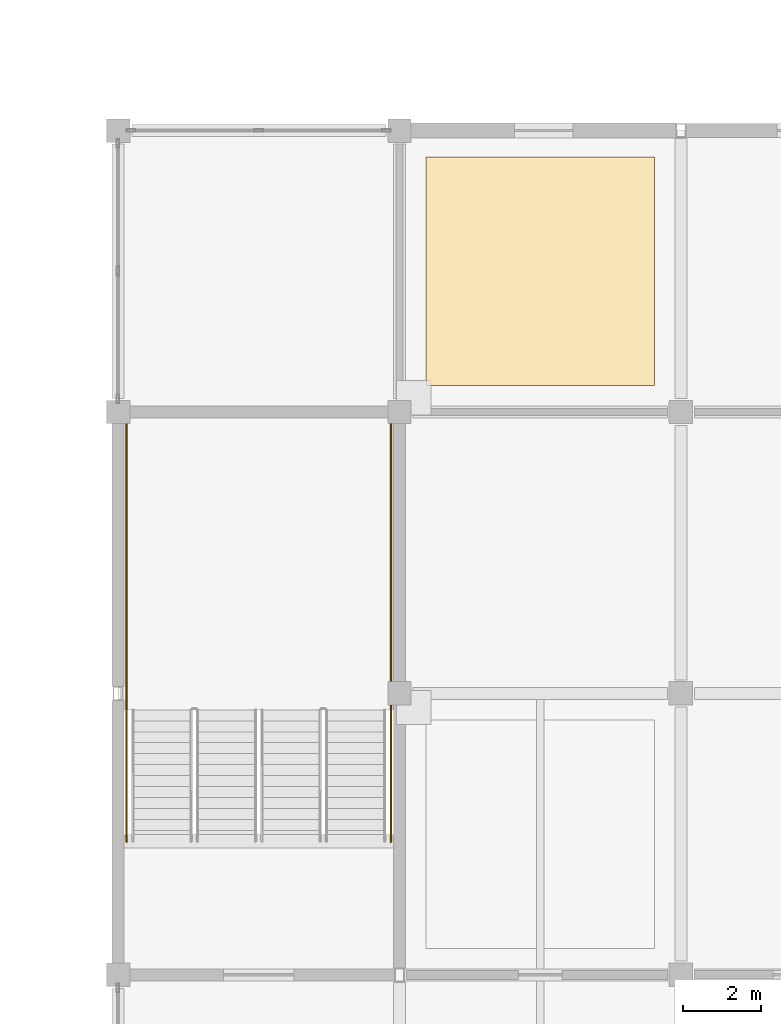
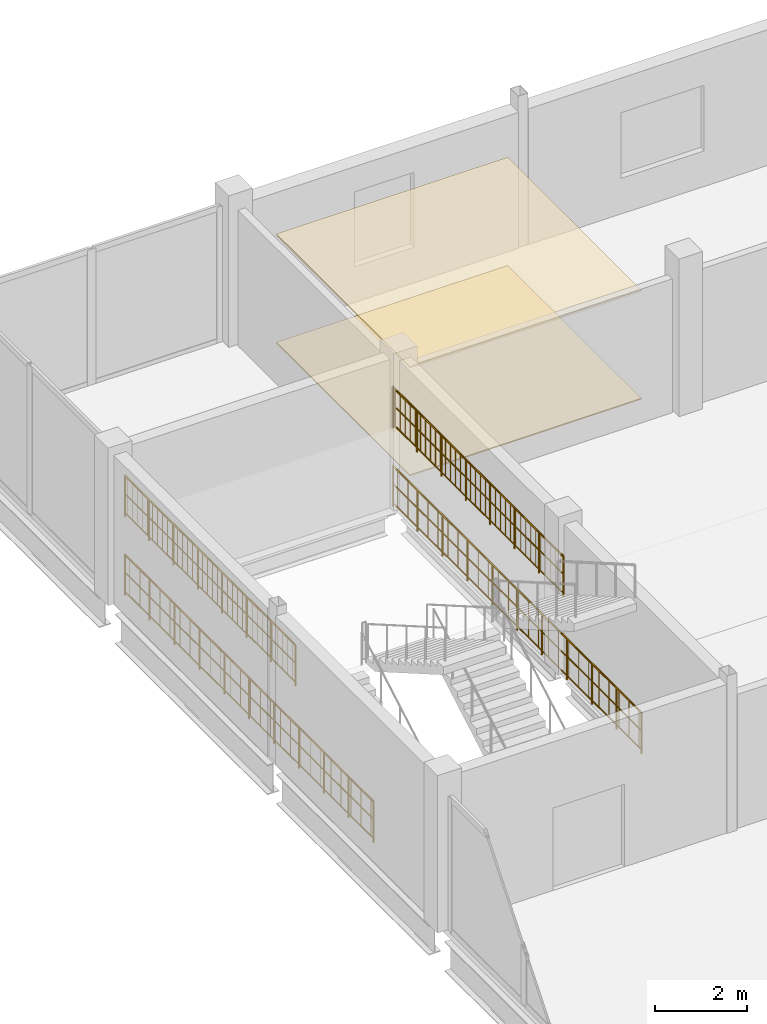
# One storey, part 43 of 51: 4 railings, 2 coverings.
"""IFC4 building model written with IfcOpenShell, lengths in metres."""

from ifc_helpers import new_model, si_unit, direction, frame, origin, origin_2d, place, context, subcontext, project, spatial, polyline, circle, outline, extrude, material, layer, layer_set, type_object, element, save


model = new_model("IFC4")

# Units and contexts
model_context = context("Model", 3, precision=1e-05, world=origin(), true_north=direction((0.0, 1.0)))
body_context = subcontext(model_context, "Body", "Model", "MODEL_VIEW")
ifc_project = project(units=[si_unit("LENGTHUNIT", "METRE"), si_unit("AREAUNIT", "SQUARE_METRE"), si_unit("VOLUMEUNIT", "CUBIC_METRE"), si_unit("PLANEANGLEUNIT", "RADIAN"), si_unit("MASSUNIT", "GRAM", prefix="KILO")], contexts=[model_context])

# Site, building, storey
site_placement = place(None, origin())
site = spatial("IfcSite", under=ifc_project, at=site_placement, CompositionType="ELEMENT")
building_placement = place(site_placement, origin())
building = spatial("IfcBuilding", under=site, at=building_placement, Name="Vesperath Aquatics Centre", CompositionType="ELEMENT")
storey_placement = place(building_placement, frame((0.0, 0.0, 15.0)))
storey = spatial("IfcBuildingStorey", under=building, at=storey_placement, Name="L03", CompositionType="ELEMENT", Elevation=15.0)

# Coverings
ifc_material_1 = material(Name="Perforated moisture-resistant acoustic mineral-fibre ceiling", Category="gypsum")
ifc_layer_1 = layer(ifc_material_1, 0.044921875)
ifc_layer_set_1 = layer_set([ifc_layer_1], Name="Perforated moisture-resistant acoustic mineral-fibre ceiling")
covering_type_1 = type_object("IfcCoveringType", Name="CV-CLG01", PredefinedType="CEILING", material=ifc_layer_set_1)
covering_1_placement = place(storey_placement, frame((0.0, 0.0, 2.875)))
element("IfcCovering", 1, at=covering_1_placement, inside=storey, type_object=covering_type_1, Name="Acoustic Suspended Ceiling CLG1 L03_PHYS_LAB", PredefinedType="CEILING", context=body_context, shape_type="SweptSolid", body=[
    extrude(outline(polyline([(123.080078125, 36.679931640625), (128.919921875, 36.679931640625), (128.919921875, 42.52001953125), (123.080078125, 42.52001953125), (123.080078125, 36.679931640625)])), origin(), (0.0, 0.0, 1.0), 0.044921875),
])
ifc_material_2 = material(Name="Slip-resistant vitrified ceramic and terrazzo flooring", Category="ceramic")
ifc_layer_2 = layer(ifc_material_2, 0.030029296875)
ifc_layer_set_2 = layer_set([ifc_layer_2], Name="Slip-resistant vitrified ceramic and terrazzo flooring")
covering_type_2 = type_object("IfcCoveringType", Name="CV-FLR01", PredefinedType="FLOORING", material=ifc_layer_set_2)
covering_2_placement = place(storey_placement, origin())
element("IfcCovering", 2, at=covering_2_placement, inside=storey, type_object=covering_type_2, Name="Slip-Resistant Floor Finish FLR1 L03_PHYS_LAB", PredefinedType="FLOORING", context=body_context, shape_type="SweptSolid", body=[
    extrude(outline(polyline([(123.080078125, 36.679931640625), (128.919921875, 36.679931640625), (128.919921875, 42.52001953125), (123.080078125, 42.52001953125), (123.080078125, 36.679931640625)])), origin(), (0.0, 0.0, 1.0), 0.030029296875),
])

# Railings
ifc_material_3 = material(Name="Powder-coated galvanized steel safety guard", Category="steel")
railing_type = type_object("IfcRailingType", Name="RL-GRD01", PredefinedType="GUARDRAIL", material=ifc_material_3)
railing_1_placement = place(storey_placement, frame((115.419921875, 28.419921875, 2.10009765625)))
element("IfcRailing", 3, at=railing_1_placement, inside=storey, type_object=railing_type, Name="Stair ST7A Half-Landing Wall Guard GR02 L03", PredefinedType="GUARDRAIL", context=body_context, shape_type="SweptSolid", body=[
    extrude(circle(Radius=0.02392578125, at=origin_2d()), frame((0.0, 0.0, 1.0859375), z_axis=(0.0, 1.0, 0.0), x_axis=(-1.0, 0.0, 0.0)), (0.0, 0.0, 1.0), 7.4501953125),
    extrude(circle(Radius=0.01611328125, at=origin_2d()), frame((0.0, 0.0, 0.10009765625), z_axis=(0.0, 1.0, 0.0), x_axis=(-1.0, 0.0, 0.0)), (0.0, 0.0, 1.0), 7.4501953125),
    extrude(circle(Radius=0.01611328125, at=origin_2d()), frame((0.0, 0.0, 0.610595703125), z_axis=(0.0, 1.0, 0.0), x_axis=(-1.0, 0.0, 0.0)), (0.0, 0.0, 1.0), 7.4501953125),
    extrude(circle(Radius=0.009033203125, at=origin_2d()), frame((0.0, 0.109619140625, 0.10009765625)), (0.0, 0.0, 1.0), 0.9619140625),
    extrude(circle(Radius=0.009033203125, at=origin_2d()), frame((0.0, 0.32861328125, 0.10009765625)), (0.0, 0.0, 1.0), 0.9619140625),
    extrude(circle(Radius=0.009033203125, at=origin_2d()), frame((0.0, 0.5478515625, 0.10009765625)), (0.0, 0.0, 1.0), 0.9619140625),
    extrude(circle(Radius=0.009033203125, at=origin_2d()), frame((0.0, 0.766845703125, 0.10009765625)), (0.0, 0.0, 1.0), 0.9619140625),
    extrude(circle(Radius=0.009033203125, at=origin_2d()), frame((0.0, 0.986083984375, 0.10009765625)), (0.0, 0.0, 1.0), 0.9619140625),
    extrude(circle(Radius=0.009033203125, at=origin_2d()), frame((0.0, 1.205078125, 0.10009765625)), (0.0, 0.0, 1.0), 0.9619140625),
    extrude(circle(Radius=0.009033203125, at=origin_2d()), frame((0.0, 1.42431640625, 0.10009765625)), (0.0, 0.0, 1.0), 0.9619140625),
    extrude(circle(Radius=0.009033203125, at=origin_2d()), frame((0.0, 1.643310546875, 0.10009765625)), (0.0, 0.0, 1.0), 0.9619140625),
    extrude(circle(Radius=0.009033203125, at=origin_2d()), frame((0.0, 1.862548828125, 0.10009765625)), (0.0, 0.0, 1.0), 0.9619140625),
    extrude(circle(Radius=0.009033203125, at=origin_2d()), frame((0.0, 2.081787109375, 0.10009765625)), (0.0, 0.0, 1.0), 0.9619140625),
    extrude(circle(Radius=0.009033203125, at=origin_2d()), frame((0.0, 2.30078125, 0.10009765625)), (0.0, 0.0, 1.0), 0.9619140625),
    extrude(circle(Radius=0.009033203125, at=origin_2d()), frame((0.0, 2.52001953125, 0.10009765625)), (0.0, 0.0, 1.0), 0.9619140625),
    extrude(circle(Radius=0.009033203125, at=origin_2d()), frame((0.0, 2.739013671875, 0.10009765625)), (0.0, 0.0, 1.0), 0.9619140625),
    extrude(circle(Radius=0.009033203125, at=origin_2d()), frame((0.0, 2.958251953125, 0.10009765625)), (0.0, 0.0, 1.0), 0.9619140625),
    extrude(circle(Radius=0.009033203125, at=origin_2d()), frame((0.0, 3.17724609375, 0.10009765625)), (0.0, 0.0, 1.0), 0.9619140625),
    extrude(circle(Radius=0.009033203125, at=origin_2d()), frame((0.0, 3.396484375, 0.10009765625)), (0.0, 0.0, 1.0), 0.9619140625),
    extrude(circle(Radius=0.009033203125, at=origin_2d()), frame((0.0, 3.615478515625, 0.10009765625)), (0.0, 0.0, 1.0), 0.9619140625),
    extrude(circle(Radius=0.009033203125, at=origin_2d()), frame((0.0, 3.834716796875, 0.10009765625)), (0.0, 0.0, 1.0), 0.9619140625),
    extrude(circle(Radius=0.009033203125, at=origin_2d()), frame((0.0, 4.0537109375, 0.10009765625)), (0.0, 0.0, 1.0), 0.9619140625),
    extrude(circle(Radius=0.009033203125, at=origin_2d()), frame((0.0, 4.27294921875, 0.10009765625)), (0.0, 0.0, 1.0), 0.9619140625),
    extrude(circle(Radius=0.009033203125, at=origin_2d()), frame((0.0, 4.491943359375, 0.10009765625)), (0.0, 0.0, 1.0), 0.9619140625),
    extrude(circle(Radius=0.009033203125, at=origin_2d()), frame((0.0, 4.711181640625, 0.10009765625)), (0.0, 0.0, 1.0), 0.9619140625),
    extrude(circle(Radius=0.009033203125, at=origin_2d()), frame((0.0, 4.93017578125, 0.10009765625)), (0.0, 0.0, 1.0), 0.9619140625),
    extrude(circle(Radius=0.009033203125, at=origin_2d()), frame((0.0, 5.1494140625, 0.10009765625)), (0.0, 0.0, 1.0), 0.9619140625),
    extrude(circle(Radius=0.009033203125, at=origin_2d()), frame((0.0, 5.368408203125, 0.10009765625)), (0.0, 0.0, 1.0), 0.9619140625),
    extrude(circle(Radius=0.009033203125, at=origin_2d()), frame((0.0, 5.587646484375, 0.10009765625)), (0.0, 0.0, 1.0), 0.9619140625),
    extrude(circle(Radius=0.009033203125, at=origin_2d()), frame((0.0, 5.806884765625, 0.10009765625)), (0.0, 0.0, 1.0), 0.9619140625),
    extrude(circle(Radius=0.009033203125, at=origin_2d()), frame((0.0, 6.02587890625, 0.10009765625)), (0.0, 0.0, 1.0), 0.9619140625),
    extrude(circle(Radius=0.009033203125, at=origin_2d()), frame((0.0, 6.2451171875, 0.10009765625)), (0.0, 0.0, 1.0), 0.9619140625),
    extrude(circle(Radius=0.009033203125, at=origin_2d()), frame((0.0, 6.464111328125, 0.10009765625)), (0.0, 0.0, 1.0), 0.9619140625),
    extrude(circle(Radius=0.009033203125, at=origin_2d()), frame((0.0, 6.683349609375, 0.10009765625)), (0.0, 0.0, 1.0), 0.9619140625),
    extrude(circle(Radius=0.009033203125, at=origin_2d()), frame((0.0, 6.90234375, 0.10009765625)), (0.0, 0.0, 1.0), 0.9619140625),
    extrude(circle(Radius=0.009033203125, at=origin_2d()), frame((0.0, 7.12158203125, 0.10009765625)), (0.0, 0.0, 1.0), 0.9619140625),
    extrude(circle(Radius=0.009033203125, at=origin_2d()), frame((0.0, 7.340576171875, 0.10009765625)), (0.0, 0.0, 1.0), 0.9619140625),
    extrude(circle(Radius=0.02197265625, at=origin_2d()), origin(), (0.0, 0.0, 1.0), 1.0859375),
    extrude(circle(Radius=0.02197265625, at=origin_2d()), frame((0.0, 1.064208984375, 0.0)), (0.0, 0.0, 1.0), 1.0859375),
    extrude(circle(Radius=0.02197265625, at=origin_2d()), frame((0.0, 2.128662109375, 0.0)), (0.0, 0.0, 1.0), 1.0859375),
    extrude(circle(Radius=0.02197265625, at=origin_2d()), frame((0.0, 3.19287109375, 0.0)), (0.0, 0.0, 1.0), 1.0859375),
    extrude(circle(Radius=0.02197265625, at=origin_2d()), frame((0.0, 4.25732421875, 0.0)), (0.0, 0.0, 1.0), 1.0859375),
    extrude(circle(Radius=0.02197265625, at=origin_2d()), frame((0.0, 5.321533203125, 0.0)), (0.0, 0.0, 1.0), 1.0859375),
    extrude(circle(Radius=0.02197265625, at=origin_2d()), frame((0.0, 6.385986328125, 0.0)), (0.0, 0.0, 1.0), 1.0859375),
    extrude(circle(Radius=0.02197265625, at=origin_2d()), frame((0.0, 7.4501953125, 0.0)), (0.0, 0.0, 1.0), 1.0859375),
])
railing_2_placement = place(storey_placement, frame((115.419921875, 25.0, 0.0)))
element("IfcRailing", 4, at=railing_2_placement, inside=storey, type_object=railing_type, Name="Stair ST7A Shaft Side Guard GR02 L03", PredefinedType="GUARDRAIL", context=body_context, shape_type="SweptSolid", body=[
    extrude(circle(Radius=0.02392578125, at=origin_2d()), frame((0.0, 0.0, 1.0859375), z_axis=(0.0, 1.0, 0.0), x_axis=(-1.0, 0.0, 0.0)), (0.0, 0.0, 1.0), 10.8701171875),
    extrude(circle(Radius=0.01611328125, at=origin_2d()), frame((0.0, 0.0, 0.10009765625), z_axis=(0.0, 1.0, 0.0), x_axis=(-1.0, 0.0, 0.0)), (0.0, 0.0, 1.0), 10.8701171875),
    extrude(circle(Radius=0.01611328125, at=origin_2d()), frame((0.0, 0.0, 0.610595703125), z_axis=(0.0, 1.0, 0.0), x_axis=(-1.0, 0.0, 0.0)), (0.0, 0.0, 1.0), 10.8701171875),
    extrude(circle(Radius=0.009033203125, at=origin_2d()), frame((0.0, 0.10986328125, 0.10009765625)), (0.0, 0.0, 1.0), 0.9619140625),
    extrude(circle(Radius=0.009033203125, at=origin_2d()), frame((0.0, 0.549072265625, 0.10009765625)), (0.0, 0.0, 1.0), 0.9619140625),
    extrude(circle(Radius=0.009033203125, at=origin_2d()), frame((0.0, 0.98828125, 0.10009765625)), (0.0, 0.0, 1.0), 0.9619140625),
    extrude(circle(Radius=0.009033203125, at=origin_2d()), frame((0.0, 1.427490234375, 0.10009765625)), (0.0, 0.0, 1.0), 0.9619140625),
    extrude(circle(Radius=0.009033203125, at=origin_2d()), frame((0.0, 1.86669921875, 0.10009765625)), (0.0, 0.0, 1.0), 0.9619140625),
    extrude(circle(Radius=0.009033203125, at=origin_2d()), frame((0.0, 2.3056640625, 0.10009765625)), (0.0, 0.0, 1.0), 0.9619140625),
    extrude(circle(Radius=0.009033203125, at=origin_2d()), frame((0.0, 2.744873046875, 0.10009765625)), (0.0, 0.0, 1.0), 0.9619140625),
    extrude(circle(Radius=0.009033203125, at=origin_2d()), frame((0.0, 3.18408203125, 0.10009765625)), (0.0, 0.0, 1.0), 0.9619140625),
    extrude(circle(Radius=0.009033203125, at=origin_2d()), frame((0.0, 3.623291015625, 0.10009765625)), (0.0, 0.0, 1.0), 0.9619140625),
    extrude(circle(Radius=0.009033203125, at=origin_2d()), frame((0.0, 4.0625, 0.10009765625)), (0.0, 0.0, 1.0), 0.9619140625),
    extrude(circle(Radius=0.009033203125, at=origin_2d()), frame((0.0, 4.501708984375, 0.10009765625)), (0.0, 0.0, 1.0), 0.9619140625),
    extrude(circle(Radius=0.009033203125, at=origin_2d()), frame((0.0, 4.94091796875, 0.10009765625)), (0.0, 0.0, 1.0), 0.9619140625),
    extrude(circle(Radius=0.009033203125, at=origin_2d()), frame((0.0, 5.380126953125, 0.10009765625)), (0.0, 0.0, 1.0), 0.9619140625),
    extrude(circle(Radius=0.009033203125, at=origin_2d()), frame((0.0, 5.8193359375, 0.10009765625)), (0.0, 0.0, 1.0), 0.9619140625),
    extrude(circle(Radius=0.009033203125, at=origin_2d()), frame((0.0, 6.258544921875, 0.10009765625)), (0.0, 0.0, 1.0), 0.9619140625),
    extrude(circle(Radius=0.009033203125, at=origin_2d()), frame((0.0, 6.69775390625, 0.10009765625)), (0.0, 0.0, 1.0), 0.9619140625),
    extrude(circle(Radius=0.009033203125, at=origin_2d()), frame((0.0, 7.136962890625, 0.10009765625)), (0.0, 0.0, 1.0), 0.9619140625),
    extrude(circle(Radius=0.009033203125, at=origin_2d()), frame((0.0, 7.576171875, 0.10009765625)), (0.0, 0.0, 1.0), 0.9619140625),
    extrude(circle(Radius=0.009033203125, at=origin_2d()), frame((0.0, 8.015380859375, 0.10009765625)), (0.0, 0.0, 1.0), 0.9619140625),
    extrude(circle(Radius=0.009033203125, at=origin_2d()), frame((0.0, 8.45458984375, 0.10009765625)), (0.0, 0.0, 1.0), 0.9619140625),
    extrude(circle(Radius=0.009033203125, at=origin_2d()), frame((0.0, 8.893798828125, 0.10009765625)), (0.0, 0.0, 1.0), 0.9619140625),
    extrude(circle(Radius=0.009033203125, at=origin_2d()), frame((0.0, 9.3330078125, 0.10009765625)), (0.0, 0.0, 1.0), 0.9619140625),
    extrude(circle(Radius=0.009033203125, at=origin_2d()), frame((0.0, 9.772216796875, 0.10009765625)), (0.0, 0.0, 1.0), 0.9619140625),
    extrude(circle(Radius=0.009033203125, at=origin_2d()), frame((0.0, 10.21142578125, 0.10009765625)), (0.0, 0.0, 1.0), 0.9619140625),
    extrude(circle(Radius=0.009033203125, at=origin_2d()), frame((0.0, 10.650634765625, 0.10009765625)), (0.0, 0.0, 1.0), 0.9619140625),
    extrude(circle(Radius=0.02197265625, at=origin_2d()), origin(), (0.0, 0.0, 1.0), 1.0859375),
    extrude(circle(Radius=0.02197265625, at=origin_2d()), frame((0.0, 1.0869140625, 0.0)), (0.0, 0.0, 1.0), 1.0859375),
    extrude(circle(Radius=0.02197265625, at=origin_2d()), frame((0.0, 2.174072265625, 0.0)), (0.0, 0.0, 1.0), 1.0859375),
    extrude(circle(Radius=0.02197265625, at=origin_2d()), frame((0.0, 3.260986328125, 0.0)), (0.0, 0.0, 1.0), 1.0859375),
    extrude(circle(Radius=0.02197265625, at=origin_2d()), frame((0.0, 4.34814453125, 0.0)), (0.0, 0.0, 1.0), 1.0859375),
    extrude(circle(Radius=0.02197265625, at=origin_2d()), frame((0.0, 5.43505859375, 0.0)), (0.0, 0.0, 1.0), 1.0859375),
    extrude(circle(Radius=0.02197265625, at=origin_2d()), frame((0.0, 6.52197265625, 0.0)), (0.0, 0.0, 1.0), 1.0859375),
    extrude(circle(Radius=0.02197265625, at=origin_2d()), frame((0.0, 7.609130859375, 0.0)), (0.0, 0.0, 1.0), 1.0859375),
    extrude(circle(Radius=0.02197265625, at=origin_2d()), frame((0.0, 8.696044921875, 0.0)), (0.0, 0.0, 1.0), 1.0859375),
    extrude(circle(Radius=0.02197265625, at=origin_2d()), frame((0.0, 9.783203125, 0.0)), (0.0, 0.0, 1.0), 1.0859375),
    extrude(circle(Radius=0.02197265625, at=origin_2d()), frame((0.0, 10.8701171875, 0.0)), (0.0, 0.0, 1.0), 1.0859375),
])
railing_3_placement = place(storey_placement, frame((122.179931640625, 28.419921875, 2.10009765625)))
element("IfcRailing", 5, at=railing_3_placement, inside=storey, type_object=railing_type, Name="Stair ST7B Half-Landing Wall Guard GR02 L03", PredefinedType="GUARDRAIL", context=body_context, shape_type="SweptSolid", body=[
    extrude(circle(Radius=0.02392578125, at=origin_2d()), frame((0.0, 0.0, 1.0859375), z_axis=(0.0, 1.0, 0.0), x_axis=(-1.0, 0.0, 0.0)), (0.0, 0.0, 1.0), 7.4501953125),
    extrude(circle(Radius=0.01611328125, at=origin_2d()), frame((0.0, 0.0, 0.10009765625), z_axis=(0.0, 1.0, 0.0), x_axis=(-1.0, 0.0, 0.0)), (0.0, 0.0, 1.0), 7.4501953125),
    extrude(circle(Radius=0.01611328125, at=origin_2d()), frame((0.0, 0.0, 0.610595703125), z_axis=(0.0, 1.0, 0.0), x_axis=(-1.0, 0.0, 0.0)), (0.0, 0.0, 1.0), 7.4501953125),
    extrude(circle(Radius=0.009033203125, at=origin_2d()), frame((0.0, 0.109619140625, 0.10009765625)), (0.0, 0.0, 1.0), 0.9619140625),
    extrude(circle(Radius=0.009033203125, at=origin_2d()), frame((0.0, 0.32861328125, 0.10009765625)), (0.0, 0.0, 1.0), 0.9619140625),
    extrude(circle(Radius=0.009033203125, at=origin_2d()), frame((0.0, 0.5478515625, 0.10009765625)), (0.0, 0.0, 1.0), 0.9619140625),
    extrude(circle(Radius=0.009033203125, at=origin_2d()), frame((0.0, 0.766845703125, 0.10009765625)), (0.0, 0.0, 1.0), 0.9619140625),
    extrude(circle(Radius=0.009033203125, at=origin_2d()), frame((0.0, 0.986083984375, 0.10009765625)), (0.0, 0.0, 1.0), 0.9619140625),
    extrude(circle(Radius=0.009033203125, at=origin_2d()), frame((0.0, 1.205078125, 0.10009765625)), (0.0, 0.0, 1.0), 0.9619140625),
    extrude(circle(Radius=0.009033203125, at=origin_2d()), frame((0.0, 1.42431640625, 0.10009765625)), (0.0, 0.0, 1.0), 0.9619140625),
    extrude(circle(Radius=0.009033203125, at=origin_2d()), frame((0.0, 1.643310546875, 0.10009765625)), (0.0, 0.0, 1.0), 0.9619140625),
    extrude(circle(Radius=0.009033203125, at=origin_2d()), frame((0.0, 1.862548828125, 0.10009765625)), (0.0, 0.0, 1.0), 0.9619140625),
    extrude(circle(Radius=0.009033203125, at=origin_2d()), frame((0.0, 2.081787109375, 0.10009765625)), (0.0, 0.0, 1.0), 0.9619140625),
    extrude(circle(Radius=0.009033203125, at=origin_2d()), frame((0.0, 2.30078125, 0.10009765625)), (0.0, 0.0, 1.0), 0.9619140625),
    extrude(circle(Radius=0.009033203125, at=origin_2d()), frame((0.0, 2.52001953125, 0.10009765625)), (0.0, 0.0, 1.0), 0.9619140625),
    extrude(circle(Radius=0.009033203125, at=origin_2d()), frame((0.0, 2.739013671875, 0.10009765625)), (0.0, 0.0, 1.0), 0.9619140625),
    extrude(circle(Radius=0.009033203125, at=origin_2d()), frame((0.0, 2.958251953125, 0.10009765625)), (0.0, 0.0, 1.0), 0.9619140625),
    extrude(circle(Radius=0.009033203125, at=origin_2d()), frame((0.0, 3.17724609375, 0.10009765625)), (0.0, 0.0, 1.0), 0.9619140625),
    extrude(circle(Radius=0.009033203125, at=origin_2d()), frame((0.0, 3.396484375, 0.10009765625)), (0.0, 0.0, 1.0), 0.9619140625),
    extrude(circle(Radius=0.009033203125, at=origin_2d()), frame((0.0, 3.615478515625, 0.10009765625)), (0.0, 0.0, 1.0), 0.9619140625),
    extrude(circle(Radius=0.009033203125, at=origin_2d()), frame((0.0, 3.834716796875, 0.10009765625)), (0.0, 0.0, 1.0), 0.9619140625),
    extrude(circle(Radius=0.009033203125, at=origin_2d()), frame((0.0, 4.0537109375, 0.10009765625)), (0.0, 0.0, 1.0), 0.9619140625),
    extrude(circle(Radius=0.009033203125, at=origin_2d()), frame((0.0, 4.27294921875, 0.10009765625)), (0.0, 0.0, 1.0), 0.9619140625),
    extrude(circle(Radius=0.009033203125, at=origin_2d()), frame((0.0, 4.491943359375, 0.10009765625)), (0.0, 0.0, 1.0), 0.9619140625),
    extrude(circle(Radius=0.009033203125, at=origin_2d()), frame((0.0, 4.711181640625, 0.10009765625)), (0.0, 0.0, 1.0), 0.9619140625),
    extrude(circle(Radius=0.009033203125, at=origin_2d()), frame((0.0, 4.93017578125, 0.10009765625)), (0.0, 0.0, 1.0), 0.9619140625),
    extrude(circle(Radius=0.009033203125, at=origin_2d()), frame((0.0, 5.1494140625, 0.10009765625)), (0.0, 0.0, 1.0), 0.9619140625),
    extrude(circle(Radius=0.009033203125, at=origin_2d()), frame((0.0, 5.368408203125, 0.10009765625)), (0.0, 0.0, 1.0), 0.9619140625),
    extrude(circle(Radius=0.009033203125, at=origin_2d()), frame((0.0, 5.587646484375, 0.10009765625)), (0.0, 0.0, 1.0), 0.9619140625),
    extrude(circle(Radius=0.009033203125, at=origin_2d()), frame((0.0, 5.806884765625, 0.10009765625)), (0.0, 0.0, 1.0), 0.9619140625),
    extrude(circle(Radius=0.009033203125, at=origin_2d()), frame((0.0, 6.02587890625, 0.10009765625)), (0.0, 0.0, 1.0), 0.9619140625),
    extrude(circle(Radius=0.009033203125, at=origin_2d()), frame((0.0, 6.2451171875, 0.10009765625)), (0.0, 0.0, 1.0), 0.9619140625),
    extrude(circle(Radius=0.009033203125, at=origin_2d()), frame((0.0, 6.464111328125, 0.10009765625)), (0.0, 0.0, 1.0), 0.9619140625),
    extrude(circle(Radius=0.009033203125, at=origin_2d()), frame((0.0, 6.683349609375, 0.10009765625)), (0.0, 0.0, 1.0), 0.9619140625),
    extrude(circle(Radius=0.009033203125, at=origin_2d()), frame((0.0, 6.90234375, 0.10009765625)), (0.0, 0.0, 1.0), 0.9619140625),
    extrude(circle(Radius=0.009033203125, at=origin_2d()), frame((0.0, 7.12158203125, 0.10009765625)), (0.0, 0.0, 1.0), 0.9619140625),
    extrude(circle(Radius=0.009033203125, at=origin_2d()), frame((0.0, 7.340576171875, 0.10009765625)), (0.0, 0.0, 1.0), 0.9619140625),
    extrude(circle(Radius=0.02197265625, at=origin_2d()), origin(), (0.0, 0.0, 1.0), 1.0859375),
    extrude(circle(Radius=0.02197265625, at=origin_2d()), frame((0.0, 1.064208984375, 0.0)), (0.0, 0.0, 1.0), 1.0859375),
    extrude(circle(Radius=0.02197265625, at=origin_2d()), frame((0.0, 2.128662109375, 0.0)), (0.0, 0.0, 1.0), 1.0859375),
    extrude(circle(Radius=0.02197265625, at=origin_2d()), frame((0.0, 3.19287109375, 0.0)), (0.0, 0.0, 1.0), 1.0859375),
    extrude(circle(Radius=0.02197265625, at=origin_2d()), frame((0.0, 4.25732421875, 0.0)), (0.0, 0.0, 1.0), 1.0859375),
    extrude(circle(Radius=0.02197265625, at=origin_2d()), frame((0.0, 5.321533203125, 0.0)), (0.0, 0.0, 1.0), 1.0859375),
    extrude(circle(Radius=0.02197265625, at=origin_2d()), frame((0.0, 6.385986328125, 0.0)), (0.0, 0.0, 1.0), 1.0859375),
    extrude(circle(Radius=0.02197265625, at=origin_2d()), frame((0.0, 7.4501953125, 0.0)), (0.0, 0.0, 1.0), 1.0859375),
])
railing_4_placement = place(storey_placement, frame((122.179931640625, 25.0, 0.0)))
element("IfcRailing", 6, at=railing_4_placement, inside=storey, type_object=railing_type, Name="Stair ST7B Shaft Side Guard GR02 L03", PredefinedType="GUARDRAIL", context=body_context, shape_type="SweptSolid", body=[
    extrude(circle(Radius=0.02392578125, at=origin_2d()), frame((0.0, 0.0, 1.0859375), z_axis=(0.0, 1.0, 0.0), x_axis=(-1.0, 0.0, 0.0)), (0.0, 0.0, 1.0), 10.8701171875),
    extrude(circle(Radius=0.01611328125, at=origin_2d()), frame((0.0, 0.0, 0.10009765625), z_axis=(0.0, 1.0, 0.0), x_axis=(-1.0, 0.0, 0.0)), (0.0, 0.0, 1.0), 10.8701171875),
    extrude(circle(Radius=0.01611328125, at=origin_2d()), frame((0.0, 0.0, 0.610595703125), z_axis=(0.0, 1.0, 0.0), x_axis=(-1.0, 0.0, 0.0)), (0.0, 0.0, 1.0), 10.8701171875),
    extrude(circle(Radius=0.009033203125, at=origin_2d()), frame((0.0, 0.10986328125, 0.10009765625)), (0.0, 0.0, 1.0), 0.9619140625),
    extrude(circle(Radius=0.009033203125, at=origin_2d()), frame((0.0, 0.549072265625, 0.10009765625)), (0.0, 0.0, 1.0), 0.9619140625),
    extrude(circle(Radius=0.009033203125, at=origin_2d()), frame((0.0, 0.98828125, 0.10009765625)), (0.0, 0.0, 1.0), 0.9619140625),
    extrude(circle(Radius=0.009033203125, at=origin_2d()), frame((0.0, 1.427490234375, 0.10009765625)), (0.0, 0.0, 1.0), 0.9619140625),
    extrude(circle(Radius=0.009033203125, at=origin_2d()), frame((0.0, 1.86669921875, 0.10009765625)), (0.0, 0.0, 1.0), 0.9619140625),
    extrude(circle(Radius=0.009033203125, at=origin_2d()), frame((0.0, 2.3056640625, 0.10009765625)), (0.0, 0.0, 1.0), 0.9619140625),
    extrude(circle(Radius=0.009033203125, at=origin_2d()), frame((0.0, 2.744873046875, 0.10009765625)), (0.0, 0.0, 1.0), 0.9619140625),
    extrude(circle(Radius=0.009033203125, at=origin_2d()), frame((0.0, 3.18408203125, 0.10009765625)), (0.0, 0.0, 1.0), 0.9619140625),
    extrude(circle(Radius=0.009033203125, at=origin_2d()), frame((0.0, 3.623291015625, 0.10009765625)), (0.0, 0.0, 1.0), 0.9619140625),
    extrude(circle(Radius=0.009033203125, at=origin_2d()), frame((0.0, 4.0625, 0.10009765625)), (0.0, 0.0, 1.0), 0.9619140625),
    extrude(circle(Radius=0.009033203125, at=origin_2d()), frame((0.0, 4.501708984375, 0.10009765625)), (0.0, 0.0, 1.0), 0.9619140625),
    extrude(circle(Radius=0.009033203125, at=origin_2d()), frame((0.0, 4.94091796875, 0.10009765625)), (0.0, 0.0, 1.0), 0.9619140625),
    extrude(circle(Radius=0.009033203125, at=origin_2d()), frame((0.0, 5.380126953125, 0.10009765625)), (0.0, 0.0, 1.0), 0.9619140625),
    extrude(circle(Radius=0.009033203125, at=origin_2d()), frame((0.0, 5.8193359375, 0.10009765625)), (0.0, 0.0, 1.0), 0.9619140625),
    extrude(circle(Radius=0.009033203125, at=origin_2d()), frame((0.0, 6.258544921875, 0.10009765625)), (0.0, 0.0, 1.0), 0.9619140625),
    extrude(circle(Radius=0.009033203125, at=origin_2d()), frame((0.0, 6.69775390625, 0.10009765625)), (0.0, 0.0, 1.0), 0.9619140625),
    extrude(circle(Radius=0.009033203125, at=origin_2d()), frame((0.0, 7.136962890625, 0.10009765625)), (0.0, 0.0, 1.0), 0.9619140625),
    extrude(circle(Radius=0.009033203125, at=origin_2d()), frame((0.0, 7.576171875, 0.10009765625)), (0.0, 0.0, 1.0), 0.9619140625),
    extrude(circle(Radius=0.009033203125, at=origin_2d()), frame((0.0, 8.015380859375, 0.10009765625)), (0.0, 0.0, 1.0), 0.9619140625),
    extrude(circle(Radius=0.009033203125, at=origin_2d()), frame((0.0, 8.45458984375, 0.10009765625)), (0.0, 0.0, 1.0), 0.9619140625),
    extrude(circle(Radius=0.009033203125, at=origin_2d()), frame((0.0, 8.893798828125, 0.10009765625)), (0.0, 0.0, 1.0), 0.9619140625),
    extrude(circle(Radius=0.009033203125, at=origin_2d()), frame((0.0, 9.3330078125, 0.10009765625)), (0.0, 0.0, 1.0), 0.9619140625),
    extrude(circle(Radius=0.009033203125, at=origin_2d()), frame((0.0, 9.772216796875, 0.10009765625)), (0.0, 0.0, 1.0), 0.9619140625),
    extrude(circle(Radius=0.009033203125, at=origin_2d()), frame((0.0, 10.21142578125, 0.10009765625)), (0.0, 0.0, 1.0), 0.9619140625),
    extrude(circle(Radius=0.009033203125, at=origin_2d()), frame((0.0, 10.650634765625, 0.10009765625)), (0.0, 0.0, 1.0), 0.9619140625),
    extrude(circle(Radius=0.02197265625, at=origin_2d()), origin(), (0.0, 0.0, 1.0), 1.0859375),
    extrude(circle(Radius=0.02197265625, at=origin_2d()), frame((0.0, 1.0869140625, 0.0)), (0.0, 0.0, 1.0), 1.0859375),
    extrude(circle(Radius=0.02197265625, at=origin_2d()), frame((0.0, 2.174072265625, 0.0)), (0.0, 0.0, 1.0), 1.0859375),
    extrude(circle(Radius=0.02197265625, at=origin_2d()), frame((0.0, 3.260986328125, 0.0)), (0.0, 0.0, 1.0), 1.0859375),
    extrude(circle(Radius=0.02197265625, at=origin_2d()), frame((0.0, 4.34814453125, 0.0)), (0.0, 0.0, 1.0), 1.0859375),
    extrude(circle(Radius=0.02197265625, at=origin_2d()), frame((0.0, 5.43505859375, 0.0)), (0.0, 0.0, 1.0), 1.0859375),
    extrude(circle(Radius=0.02197265625, at=origin_2d()), frame((0.0, 6.52197265625, 0.0)), (0.0, 0.0, 1.0), 1.0859375),
    extrude(circle(Radius=0.02197265625, at=origin_2d()), frame((0.0, 7.609130859375, 0.0)), (0.0, 0.0, 1.0), 1.0859375),
    extrude(circle(Radius=0.02197265625, at=origin_2d()), frame((0.0, 8.696044921875, 0.0)), (0.0, 0.0, 1.0), 1.0859375),
    extrude(circle(Radius=0.02197265625, at=origin_2d()), frame((0.0, 9.783203125, 0.0)), (0.0, 0.0, 1.0), 1.0859375),
    extrude(circle(Radius=0.02197265625, at=origin_2d()), frame((0.0, 10.8701171875, 0.0)), (0.0, 0.0, 1.0), 1.0859375),
])

save(model, "model.ifc")
